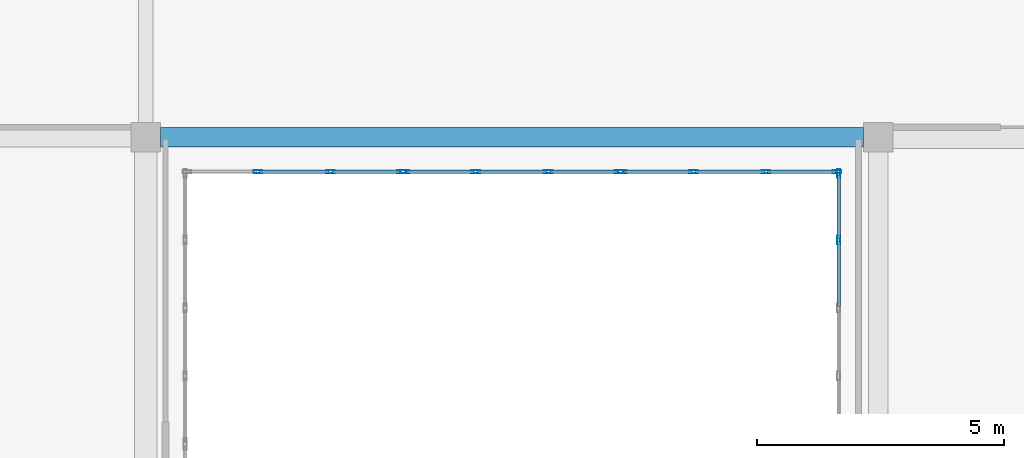
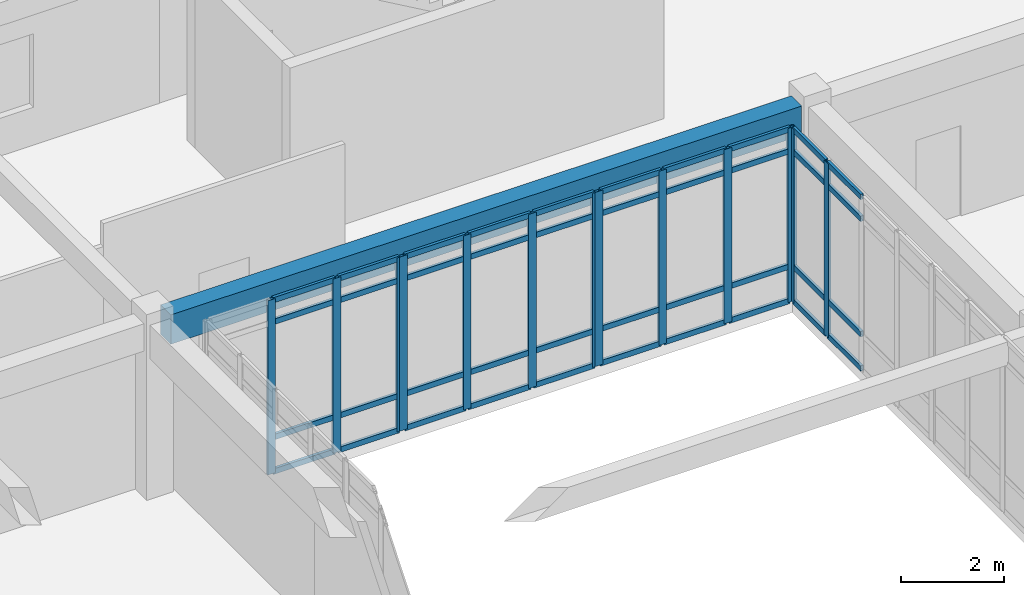
# One storey, part 96 of 142: 53 members, 1 beam, 4 elements without a shape of their own.
"""IFC4 building model written with IfcOpenShell, lengths in metres."""

from ifc_helpers import new_model, si_unit, direction, frame, origin, origin_2d, place, context, subcontext, project, spatial, rectangle, hollow_rectangle, extrude, material, layer, layer_set, material_profile, profile_set, type_object, element, aggregate, save


model = new_model("IFC4")

# Units and contexts
model_context = context("Model", 3, precision=1e-05, world=origin(), true_north=direction((0.0, 1.0)))
body_context = subcontext(model_context, "Body", "Model", "MODEL_VIEW")
ifc_project = project(units=[si_unit("LENGTHUNIT", "METRE"), si_unit("AREAUNIT", "SQUARE_METRE"), si_unit("VOLUMEUNIT", "CUBIC_METRE"), si_unit("PLANEANGLEUNIT", "RADIAN"), si_unit("MASSUNIT", "GRAM", prefix="KILO")], contexts=[model_context])

# Site, building, storey
site_placement = place(None, origin())
site = spatial("IfcSite", under=ifc_project, at=site_placement, CompositionType="ELEMENT")
building_placement = place(site_placement, origin())
building = spatial("IfcBuilding", under=site, at=building_placement, Name="Valcora Specialist Clinic", CompositionType="ELEMENT")
storey_placement = place(building_placement, frame((0.0, 0.0, 5.10009765625)))
storey = spatial("IfcBuildingStorey", under=building, at=storey_placement, Name="L01", CompositionType="ELEMENT", Elevation=5.10009765625)

# Beam
ifc_material_1 = material(Name="Concrete C40/50", Category="concrete")
ifc_material_profile_1 = material_profile(ifc_material_1, rectangle(XDim=0.39990234375, YDim=0.699951171875, at=origin_2d()), Name="RC-BM-400X700")
ifc_profile_set_1 = profile_set([ifc_material_profile_1], Name="Concrete C40/50")
beam_type = type_object("IfcBeamType", Name="TY-BM-RC400X700", PredefinedType="BEAM", material=ifc_profile_set_1)
beam_placement = place(storey_placement, frame((111.5, 99.199951171875, 3.794921875), z_axis=(1.0, 0.0, 0.0), x_axis=(0.0, 1.0, 0.0)))
element("IfcBeam", 1, at=beam_placement, inside=storey, type_object=beam_type, Name="Beam BM-L01-0646", PredefinedType="BEAM", context=body_context, shape_type="SweptSolid", body=[
    extrude(rectangle(XDim=0.39990234375, YDim=0.699951171875, at=origin_2d()), origin(), (0.0, 0.0, 1.0), 14.199951171875),
])

# Curtain wall, members
ifc_material_2 = material(Name="Anodized Bronze Aluminium 6063-T6", Category="aluminium")
ifc_layer = layer(ifc_material_2, 0.175048828125)
ifc_layer_set = layer_set([ifc_layer], Name="Anodized Bronze Aluminium 6063-T6")
curtain_wall_type = type_object("IfcCurtainWallType", Name="TY-CW-CRT15", PredefinedType="NOTDEFINED", material=ifc_layer_set)
curtain_wall_1_placement = place(storey_placement, origin())
curtain_wall_1 = element("IfcCurtainWall", 2, at=curtain_wall_1_placement, inside=storey, type_object=curtain_wall_type, Name="Curtain wall CW-L01-078", PredefinedType="NOTDEFINED")
ifc_material_profile_2 = material_profile(ifc_material_2, hollow_rectangle(XDim=0.06494140625, YDim=0.175048828125, WallThickness=0.00390625, at=origin_2d()), Name="AL-MUL-65X175")
ifc_profile_set_2 = profile_set([ifc_material_profile_2], Name="Anodized Bronze Aluminium 6063-T6")
member_type_1 = type_object("IfcMemberType", Name="TY-CWM-65X175", PredefinedType="MULLION", material=ifc_profile_set_2)
member_1_placement = place(storey_placement, frame((125.199951171875, 97.125, 0.0), z_axis=(0.0, 0.0, 1.0), x_axis=(-1.0, 0.0, 0.0)))
member_1 = element("IfcMember", 3, at=member_1_placement, type_object=member_type_1, Name="CW-CRT-15 mullion 4", PredefinedType="MULLION", context=body_context, shape_type="SweptSolid", body=[
    extrude(hollow_rectangle(XDim=0.06494140625, YDim=0.175048828125, WallThickness=0.00390625, at=origin_2d()), origin(), (0.0, 0.0, 1.0), 4.14501953125),
])
member_2_placement = place(storey_placement, frame((125.199951171875, 98.467529296875, 0.0), z_axis=(0.0, 0.0, 1.0), x_axis=(-1.0, 0.0, 0.0)))
member_2 = element("IfcMember", 4, at=member_2_placement, type_object=member_type_1, Name="CW-CRT-15 mullion 5", PredefinedType="MULLION", context=body_context, shape_type="SweptSolid", body=[
    extrude(hollow_rectangle(XDim=0.06494140625, YDim=0.175048828125, WallThickness=0.00390625, at=origin_2d()), origin(), (0.0, 0.0, 1.0), 4.14501953125),
])

curtain_wall_2_placement = place(storey_placement, origin())
curtain_wall_2 = element("IfcCurtainWall", 5, at=curtain_wall_2_placement, inside=storey, type_object=curtain_wall_type, Name="Curtain wall CW-L01-079", PredefinedType="NOTDEFINED")
member_3_placement = place(storey_placement, frame((125.16748046875, 98.5, 0.0), z_axis=(0.0, 0.0, 1.0), x_axis=(0.0, -1.0, 0.0)))
member_3 = element("IfcMember", 6, at=member_3_placement, type_object=member_type_1, Name="CW-CRT-15 mullion 1", PredefinedType="MULLION", context=body_context, shape_type="SweptSolid", body=[
    extrude(hollow_rectangle(XDim=0.06494140625, YDim=0.175048828125, WallThickness=0.00390625, at=origin_2d()), origin(), (0.0, 0.0, 1.0), 4.14501953125),
])
member_4_placement = place(storey_placement, frame((123.7333984375, 98.5, 0.0), z_axis=(0.0, 0.0, 1.0), x_axis=(0.0, -1.0, 0.0)))
member_4 = element("IfcMember", 7, at=member_4_placement, type_object=member_type_1, Name="CW-CRT-15 mullion 2", PredefinedType="MULLION", context=body_context, shape_type="SweptSolid", body=[
    extrude(hollow_rectangle(XDim=0.06494140625, YDim=0.175048828125, WallThickness=0.00390625, at=origin_2d()), origin(), (0.0, 0.0, 1.0), 4.14501953125),
])
member_5_placement = place(storey_placement, frame((122.2666015625, 98.5, 0.0), z_axis=(0.0, 0.0, 1.0), x_axis=(0.0, -1.0, 0.0)))
member_5 = element("IfcMember", 8, at=member_5_placement, type_object=member_type_1, Name="CW-CRT-15 mullion 3", PredefinedType="MULLION", context=body_context, shape_type="SweptSolid", body=[
    extrude(hollow_rectangle(XDim=0.06494140625, YDim=0.175048828125, WallThickness=0.00390625, at=origin_2d()), origin(), (0.0, 0.0, 1.0), 4.14501953125),
])
member_6_placement = place(storey_placement, frame((120.83251953125, 98.5, 0.0), z_axis=(0.0, 0.0, 1.0), x_axis=(0.0, -1.0, 0.0)))
member_6 = element("IfcMember", 9, at=member_6_placement, type_object=member_type_1, Name="CW-CRT-15 mullion 4", PredefinedType="MULLION", context=body_context, shape_type="SweptSolid", body=[
    extrude(hollow_rectangle(XDim=0.06494140625, YDim=0.175048828125, WallThickness=0.00390625, at=origin_2d()), origin(), (0.0, 0.0, 1.0), 4.14501953125),
])

curtain_wall_3_placement = place(storey_placement, origin())
curtain_wall_3 = element("IfcCurtainWall", 10, at=curtain_wall_3_placement, inside=storey, type_object=curtain_wall_type, Name="Curtain wall CW-L01-080", PredefinedType="NOTDEFINED")
member_7_placement = place(storey_placement, frame((120.767578125, 98.5, 0.0), z_axis=(0.0, 0.0, 1.0), x_axis=(0.0, -1.0, 0.0)))
member_7 = element("IfcMember", 11, at=member_7_placement, type_object=member_type_1, Name="CW-CRT-15 mullion 1", PredefinedType="MULLION", context=body_context, shape_type="SweptSolid", body=[
    extrude(hollow_rectangle(XDim=0.06494140625, YDim=0.175048828125, WallThickness=0.00390625, at=origin_2d()), origin(), (0.0, 0.0, 1.0), 4.14501953125),
])
member_8_placement = place(storey_placement, frame((119.333251953125, 98.5, 0.0), z_axis=(0.0, 0.0, 1.0), x_axis=(0.0, -1.0, 0.0)))
member_8 = element("IfcMember", 12, at=member_8_placement, type_object=member_type_1, Name="CW-CRT-15 mullion 2", PredefinedType="MULLION", context=body_context, shape_type="SweptSolid", body=[
    extrude(hollow_rectangle(XDim=0.06494140625, YDim=0.175048828125, WallThickness=0.00390625, at=origin_2d()), origin(), (0.0, 0.0, 1.0), 4.14501953125),
])
member_9_placement = place(storey_placement, frame((117.86669921875, 98.5, 0.0), z_axis=(0.0, 0.0, 1.0), x_axis=(0.0, -1.0, 0.0)))
member_9 = element("IfcMember", 13, at=member_9_placement, type_object=member_type_1, Name="CW-CRT-15 mullion 3", PredefinedType="MULLION", context=body_context, shape_type="SweptSolid", body=[
    extrude(hollow_rectangle(XDim=0.06494140625, YDim=0.175048828125, WallThickness=0.00390625, at=origin_2d()), origin(), (0.0, 0.0, 1.0), 4.14501953125),
])
member_10_placement = place(storey_placement, frame((116.4326171875, 98.5, 0.0), z_axis=(0.0, 0.0, 1.0), x_axis=(0.0, -1.0, 0.0)))
member_10 = element("IfcMember", 14, at=member_10_placement, type_object=member_type_1, Name="CW-CRT-15 mullion 4", PredefinedType="MULLION", context=body_context, shape_type="SweptSolid", body=[
    extrude(hollow_rectangle(XDim=0.06494140625, YDim=0.175048828125, WallThickness=0.00390625, at=origin_2d()), origin(), (0.0, 0.0, 1.0), 4.14501953125),
])

curtain_wall_4_placement = place(storey_placement, origin())
curtain_wall_4 = element("IfcCurtainWall", 15, at=curtain_wall_4_placement, inside=storey, type_object=curtain_wall_type, Name="Curtain wall CW-L01-081", PredefinedType="NOTDEFINED")
member_11_placement = place(storey_placement, frame((116.367431640625, 98.5, 0.0), z_axis=(0.0, 0.0, 1.0), x_axis=(0.0, -1.0, 0.0)))
member_11 = element("IfcMember", 16, at=member_11_placement, type_object=member_type_1, Name="CW-CRT-15 mullion 1", PredefinedType="MULLION", context=body_context, shape_type="SweptSolid", body=[
    extrude(hollow_rectangle(XDim=0.06494140625, YDim=0.175048828125, WallThickness=0.00390625, at=origin_2d()), origin(), (0.0, 0.0, 1.0), 4.14501953125),
])
member_12_placement = place(storey_placement, frame((114.933349609375, 98.5, 0.0), z_axis=(0.0, 0.0, 1.0), x_axis=(0.0, -1.0, 0.0)))
member_12 = element("IfcMember", 17, at=member_12_placement, type_object=member_type_1, Name="CW-CRT-15 mullion 2", PredefinedType="MULLION", context=body_context, shape_type="SweptSolid", body=[
    extrude(hollow_rectangle(XDim=0.06494140625, YDim=0.175048828125, WallThickness=0.00390625, at=origin_2d()), origin(), (0.0, 0.0, 1.0), 4.14501953125),
])
member_13_placement = place(storey_placement, frame((113.466552734375, 98.5, 0.0), z_axis=(0.0, 0.0, 1.0), x_axis=(0.0, -1.0, 0.0)))
member_13 = element("IfcMember", 18, at=member_13_placement, type_object=member_type_1, Name="CW-CRT-15 mullion 3", PredefinedType="MULLION", context=body_context, shape_type="SweptSolid", body=[
    extrude(hollow_rectangle(XDim=0.06494140625, YDim=0.175048828125, WallThickness=0.00390625, at=origin_2d()), origin(), (0.0, 0.0, 1.0), 4.14501953125),
])

# Member
ifc_material_profile_3 = material_profile(ifc_material_2, hollow_rectangle(XDim=0.06494140625, YDim=0.1298828125, WallThickness=0.00390625, at=origin_2d()), Name="AL-TRN-65X130")
ifc_profile_set_3 = profile_set([ifc_material_profile_3], Name="Anodized Bronze Aluminium 6063-T6")
member_type_2 = type_object("IfcMemberType", Name="TY-CWT-65X130", PredefinedType="USERDEFINED", material=ifc_profile_set_3)
member_14_placement = place(storey_placement, frame((125.199951171875, 95.782470703125, 0.032470703125), z_axis=(0.0, 1.0, 0.0), x_axis=(-1.0, 0.0, 0.0)))
member_14 = element("IfcMember", 19, at=member_14_placement, type_object=member_type_2, Name="CW-CRT-15 transom 3.1", ObjectType="TRANSOM", PredefinedType="USERDEFINED", context=body_context, shape_type="SweptSolid", body=[
    extrude(hollow_rectangle(XDim=0.06494140625, YDim=0.1298828125, WallThickness=0.00390625, at=origin_2d()), origin(), (0.0, 0.0, 1.0), 1.31005859375),
])

member_15_placement = place(storey_placement, frame((125.199951171875, 95.782470703125, 0.849853515625), z_axis=(0.0, 1.0, 0.0), x_axis=(-1.0, 0.0, 0.0)))
member_15 = element("IfcMember", 20, at=member_15_placement, type_object=member_type_2, Name="CW-CRT-15 transom 3.2", ObjectType="TRANSOM", PredefinedType="USERDEFINED", context=body_context, shape_type="SweptSolid", body=[
    extrude(hollow_rectangle(XDim=0.06494140625, YDim=0.1298828125, WallThickness=0.00390625, at=origin_2d()), origin(), (0.0, 0.0, 1.0), 1.31005859375),
])

member_16_placement = place(storey_placement, frame((125.199951171875, 95.782470703125, 3.594970703125), z_axis=(0.0, 1.0, 0.0), x_axis=(-1.0, 0.0, 0.0)))
member_16 = element("IfcMember", 21, at=member_16_placement, type_object=member_type_2, Name="CW-CRT-15 transom 3.3", ObjectType="TRANSOM", PredefinedType="USERDEFINED", context=body_context, shape_type="SweptSolid", body=[
    extrude(hollow_rectangle(XDim=0.06494140625, YDim=0.1298828125, WallThickness=0.00390625, at=origin_2d()), origin(), (0.0, 0.0, 1.0), 1.31005859375),
])

member_17_placement = place(storey_placement, frame((125.199951171875, 95.782470703125, 4.1123046875), z_axis=(0.0, 1.0, 0.0), x_axis=(-1.0, 0.0, 0.0)))
member_17 = element("IfcMember", 22, at=member_17_placement, type_object=member_type_2, Name="CW-CRT-15 transom 3.4", ObjectType="TRANSOM", PredefinedType="USERDEFINED", context=body_context, shape_type="SweptSolid", body=[
    extrude(hollow_rectangle(XDim=0.06494140625, YDim=0.1298828125, WallThickness=0.00390625, at=origin_2d()), origin(), (0.0, 0.0, 1.0), 1.31005859375),
])

member_18_placement = place(storey_placement, frame((125.199951171875, 97.157470703125, 0.032470703125), z_axis=(0.0, 1.0, 0.0), x_axis=(-1.0, 0.0, 0.0)))
member_18 = element("IfcMember", 23, at=member_18_placement, type_object=member_type_2, Name="CW-CRT-15 transom 4.1", ObjectType="TRANSOM", PredefinedType="USERDEFINED", context=body_context, shape_type="SweptSolid", body=[
    extrude(hollow_rectangle(XDim=0.06494140625, YDim=0.1298828125, WallThickness=0.00390625, at=origin_2d()), origin(), (0.0, 0.0, 1.0), 1.277587890625),
])

member_19_placement = place(storey_placement, frame((125.199951171875, 97.157470703125, 0.849853515625), z_axis=(0.0, 1.0, 0.0), x_axis=(-1.0, 0.0, 0.0)))
member_19 = element("IfcMember", 24, at=member_19_placement, type_object=member_type_2, Name="CW-CRT-15 transom 4.2", ObjectType="TRANSOM", PredefinedType="USERDEFINED", context=body_context, shape_type="SweptSolid", body=[
    extrude(hollow_rectangle(XDim=0.06494140625, YDim=0.1298828125, WallThickness=0.00390625, at=origin_2d()), origin(), (0.0, 0.0, 1.0), 1.277587890625),
])

member_20_placement = place(storey_placement, frame((125.199951171875, 97.157470703125, 3.594970703125), z_axis=(0.0, 1.0, 0.0), x_axis=(-1.0, 0.0, 0.0)))
member_20 = element("IfcMember", 25, at=member_20_placement, type_object=member_type_2, Name="CW-CRT-15 transom 4.3", ObjectType="TRANSOM", PredefinedType="USERDEFINED", context=body_context, shape_type="SweptSolid", body=[
    extrude(hollow_rectangle(XDim=0.06494140625, YDim=0.1298828125, WallThickness=0.00390625, at=origin_2d()), origin(), (0.0, 0.0, 1.0), 1.277587890625),
])

member_21_placement = place(storey_placement, frame((125.199951171875, 97.157470703125, 4.1123046875), z_axis=(0.0, 1.0, 0.0), x_axis=(-1.0, 0.0, 0.0)))
member_21 = element("IfcMember", 26, at=member_21_placement, type_object=member_type_2, Name="CW-CRT-15 transom 4.4", ObjectType="TRANSOM", PredefinedType="USERDEFINED", context=body_context, shape_type="SweptSolid", body=[
    extrude(hollow_rectangle(XDim=0.06494140625, YDim=0.1298828125, WallThickness=0.00390625, at=origin_2d()), origin(), (0.0, 0.0, 1.0), 1.277587890625),
])

aggregate(curtain_wall_1, [member_1, member_2, member_14, member_15, member_16, member_17, member_18, member_19, member_20, member_21])

member_22_placement = place(storey_placement, frame((125.135009765625, 98.5, 0.032470703125), z_axis=(-1.0, 0.0, 0.0), x_axis=(0.0, -1.0, 0.0)))
member_22 = element("IfcMember", 27, at=member_22_placement, type_object=member_type_2, Name="CW-CRT-15 transom 1.1", ObjectType="TRANSOM", PredefinedType="USERDEFINED", context=body_context, shape_type="SweptSolid", body=[
    extrude(hollow_rectangle(XDim=0.06494140625, YDim=0.1298828125, WallThickness=0.00390625, at=origin_2d()), origin(), (0.0, 0.0, 1.0), 1.369140625),
])

member_23_placement = place(storey_placement, frame((125.135009765625, 98.5, 0.849853515625), z_axis=(-1.0, 0.0, 0.0), x_axis=(0.0, -1.0, 0.0)))
member_23 = element("IfcMember", 28, at=member_23_placement, type_object=member_type_2, Name="CW-CRT-15 transom 1.2", ObjectType="TRANSOM", PredefinedType="USERDEFINED", context=body_context, shape_type="SweptSolid", body=[
    extrude(hollow_rectangle(XDim=0.06494140625, YDim=0.1298828125, WallThickness=0.00390625, at=origin_2d()), origin(), (0.0, 0.0, 1.0), 1.369140625),
])

member_24_placement = place(storey_placement, frame((125.135009765625, 98.5, 3.594970703125), z_axis=(-1.0, 0.0, 0.0), x_axis=(0.0, -1.0, 0.0)))
member_24 = element("IfcMember", 29, at=member_24_placement, type_object=member_type_2, Name="CW-CRT-15 transom 1.3", ObjectType="TRANSOM", PredefinedType="USERDEFINED", context=body_context, shape_type="SweptSolid", body=[
    extrude(hollow_rectangle(XDim=0.06494140625, YDim=0.1298828125, WallThickness=0.00390625, at=origin_2d()), origin(), (0.0, 0.0, 1.0), 1.369140625),
])

member_25_placement = place(storey_placement, frame((125.135009765625, 98.5, 4.1123046875), z_axis=(-1.0, 0.0, 0.0), x_axis=(0.0, -1.0, 0.0)))
member_25 = element("IfcMember", 30, at=member_25_placement, type_object=member_type_2, Name="CW-CRT-15 transom 1.4", ObjectType="TRANSOM", PredefinedType="USERDEFINED", context=body_context, shape_type="SweptSolid", body=[
    extrude(hollow_rectangle(XDim=0.06494140625, YDim=0.1298828125, WallThickness=0.00390625, at=origin_2d()), origin(), (0.0, 0.0, 1.0), 1.369140625),
])

member_26_placement = place(storey_placement, frame((123.700927734375, 98.5, 0.032470703125), z_axis=(-1.0, 0.0, 0.0), x_axis=(0.0, -1.0, 0.0)))
member_26 = element("IfcMember", 31, at=member_26_placement, type_object=member_type_2, Name="CW-CRT-15 transom 2.1", ObjectType="TRANSOM", PredefinedType="USERDEFINED", context=body_context, shape_type="SweptSolid", body=[
    extrude(hollow_rectangle(XDim=0.06494140625, YDim=0.1298828125, WallThickness=0.00390625, at=origin_2d()), origin(), (0.0, 0.0, 1.0), 1.40185546875),
])

member_27_placement = place(storey_placement, frame((123.700927734375, 98.5, 0.849853515625), z_axis=(-1.0, 0.0, 0.0), x_axis=(0.0, -1.0, 0.0)))
member_27 = element("IfcMember", 32, at=member_27_placement, type_object=member_type_2, Name="CW-CRT-15 transom 2.2", ObjectType="TRANSOM", PredefinedType="USERDEFINED", context=body_context, shape_type="SweptSolid", body=[
    extrude(hollow_rectangle(XDim=0.06494140625, YDim=0.1298828125, WallThickness=0.00390625, at=origin_2d()), origin(), (0.0, 0.0, 1.0), 1.40185546875),
])

member_28_placement = place(storey_placement, frame((123.700927734375, 98.5, 3.594970703125), z_axis=(-1.0, 0.0, 0.0), x_axis=(0.0, -1.0, 0.0)))
member_28 = element("IfcMember", 33, at=member_28_placement, type_object=member_type_2, Name="CW-CRT-15 transom 2.3", ObjectType="TRANSOM", PredefinedType="USERDEFINED", context=body_context, shape_type="SweptSolid", body=[
    extrude(hollow_rectangle(XDim=0.06494140625, YDim=0.1298828125, WallThickness=0.00390625, at=origin_2d()), origin(), (0.0, 0.0, 1.0), 1.40185546875),
])

member_29_placement = place(storey_placement, frame((123.700927734375, 98.5, 4.1123046875), z_axis=(-1.0, 0.0, 0.0), x_axis=(0.0, -1.0, 0.0)))
member_29 = element("IfcMember", 34, at=member_29_placement, type_object=member_type_2, Name="CW-CRT-15 transom 2.4", ObjectType="TRANSOM", PredefinedType="USERDEFINED", context=body_context, shape_type="SweptSolid", body=[
    extrude(hollow_rectangle(XDim=0.06494140625, YDim=0.1298828125, WallThickness=0.00390625, at=origin_2d()), origin(), (0.0, 0.0, 1.0), 1.40185546875),
])

member_30_placement = place(storey_placement, frame((122.234130859375, 98.5, 0.032470703125), z_axis=(-1.0, 0.0, 0.0), x_axis=(0.0, -1.0, 0.0)))
member_30 = element("IfcMember", 35, at=member_30_placement, type_object=member_type_2, Name="CW-CRT-15 transom 3.1", ObjectType="TRANSOM", PredefinedType="USERDEFINED", context=body_context, shape_type="SweptSolid", body=[
    extrude(hollow_rectangle(XDim=0.06494140625, YDim=0.1298828125, WallThickness=0.00390625, at=origin_2d()), origin(), (0.0, 0.0, 1.0), 1.369140625),
])

member_31_placement = place(storey_placement, frame((122.234130859375, 98.5, 0.849853515625), z_axis=(-1.0, 0.0, 0.0), x_axis=(0.0, -1.0, 0.0)))
member_31 = element("IfcMember", 36, at=member_31_placement, type_object=member_type_2, Name="CW-CRT-15 transom 3.2", ObjectType="TRANSOM", PredefinedType="USERDEFINED", context=body_context, shape_type="SweptSolid", body=[
    extrude(hollow_rectangle(XDim=0.06494140625, YDim=0.1298828125, WallThickness=0.00390625, at=origin_2d()), origin(), (0.0, 0.0, 1.0), 1.369140625),
])

member_32_placement = place(storey_placement, frame((122.234130859375, 98.5, 3.594970703125), z_axis=(-1.0, 0.0, 0.0), x_axis=(0.0, -1.0, 0.0)))
member_32 = element("IfcMember", 37, at=member_32_placement, type_object=member_type_2, Name="CW-CRT-15 transom 3.3", ObjectType="TRANSOM", PredefinedType="USERDEFINED", context=body_context, shape_type="SweptSolid", body=[
    extrude(hollow_rectangle(XDim=0.06494140625, YDim=0.1298828125, WallThickness=0.00390625, at=origin_2d()), origin(), (0.0, 0.0, 1.0), 1.369140625),
])

member_33_placement = place(storey_placement, frame((122.234130859375, 98.5, 4.1123046875), z_axis=(-1.0, 0.0, 0.0), x_axis=(0.0, -1.0, 0.0)))
member_33 = element("IfcMember", 38, at=member_33_placement, type_object=member_type_2, Name="CW-CRT-15 transom 3.4", ObjectType="TRANSOM", PredefinedType="USERDEFINED", context=body_context, shape_type="SweptSolid", body=[
    extrude(hollow_rectangle(XDim=0.06494140625, YDim=0.1298828125, WallThickness=0.00390625, at=origin_2d()), origin(), (0.0, 0.0, 1.0), 1.369140625),
])

aggregate(curtain_wall_2, [member_3, member_4, member_5, member_6, member_22, member_23, member_24, member_25, member_26, member_27, member_28, member_29, member_30, member_31, member_32, member_33])

member_34_placement = place(storey_placement, frame((120.735107421875, 98.5, 0.032470703125), z_axis=(-1.0, 0.0, 0.0), x_axis=(0.0, -1.0, 0.0)))
member_34 = element("IfcMember", 39, at=member_34_placement, type_object=member_type_2, Name="CW-CRT-15 transom 1.1", ObjectType="TRANSOM", PredefinedType="USERDEFINED", context=body_context, shape_type="SweptSolid", body=[
    extrude(hollow_rectangle(XDim=0.06494140625, YDim=0.1298828125, WallThickness=0.00390625, at=origin_2d()), origin(), (0.0, 0.0, 1.0), 1.369384765625),
])

member_35_placement = place(storey_placement, frame((120.735107421875, 98.5, 0.849853515625), z_axis=(-1.0, 0.0, 0.0), x_axis=(0.0, -1.0, 0.0)))
member_35 = element("IfcMember", 40, at=member_35_placement, type_object=member_type_2, Name="CW-CRT-15 transom 1.2", ObjectType="TRANSOM", PredefinedType="USERDEFINED", context=body_context, shape_type="SweptSolid", body=[
    extrude(hollow_rectangle(XDim=0.06494140625, YDim=0.1298828125, WallThickness=0.00390625, at=origin_2d()), origin(), (0.0, 0.0, 1.0), 1.369384765625),
])

member_36_placement = place(storey_placement, frame((120.735107421875, 98.5, 3.594970703125), z_axis=(-1.0, 0.0, 0.0), x_axis=(0.0, -1.0, 0.0)))
member_36 = element("IfcMember", 41, at=member_36_placement, type_object=member_type_2, Name="CW-CRT-15 transom 1.3", ObjectType="TRANSOM", PredefinedType="USERDEFINED", context=body_context, shape_type="SweptSolid", body=[
    extrude(hollow_rectangle(XDim=0.06494140625, YDim=0.1298828125, WallThickness=0.00390625, at=origin_2d()), origin(), (0.0, 0.0, 1.0), 1.369384765625),
])

member_37_placement = place(storey_placement, frame((120.735107421875, 98.5, 4.1123046875), z_axis=(-1.0, 0.0, 0.0), x_axis=(0.0, -1.0, 0.0)))
member_37 = element("IfcMember", 42, at=member_37_placement, type_object=member_type_2, Name="CW-CRT-15 transom 1.4", ObjectType="TRANSOM", PredefinedType="USERDEFINED", context=body_context, shape_type="SweptSolid", body=[
    extrude(hollow_rectangle(XDim=0.06494140625, YDim=0.1298828125, WallThickness=0.00390625, at=origin_2d()), origin(), (0.0, 0.0, 1.0), 1.369384765625),
])

member_38_placement = place(storey_placement, frame((119.30078125, 98.5, 0.032470703125), z_axis=(-1.0, 0.0, 0.0), x_axis=(0.0, -1.0, 0.0)))
member_38 = element("IfcMember", 43, at=member_38_placement, type_object=member_type_2, Name="CW-CRT-15 transom 2.1", ObjectType="TRANSOM", PredefinedType="USERDEFINED", context=body_context, shape_type="SweptSolid", body=[
    extrude(hollow_rectangle(XDim=0.06494140625, YDim=0.1298828125, WallThickness=0.00390625, at=origin_2d()), origin(), (0.0, 0.0, 1.0), 1.401611328125),
])

member_39_placement = place(storey_placement, frame((119.30078125, 98.5, 0.849853515625), z_axis=(-1.0, 0.0, 0.0), x_axis=(0.0, -1.0, 0.0)))
member_39 = element("IfcMember", 44, at=member_39_placement, type_object=member_type_2, Name="CW-CRT-15 transom 2.2", ObjectType="TRANSOM", PredefinedType="USERDEFINED", context=body_context, shape_type="SweptSolid", body=[
    extrude(hollow_rectangle(XDim=0.06494140625, YDim=0.1298828125, WallThickness=0.00390625, at=origin_2d()), origin(), (0.0, 0.0, 1.0), 1.401611328125),
])

member_40_placement = place(storey_placement, frame((119.30078125, 98.5, 3.594970703125), z_axis=(-1.0, 0.0, 0.0), x_axis=(0.0, -1.0, 0.0)))
member_40 = element("IfcMember", 45, at=member_40_placement, type_object=member_type_2, Name="CW-CRT-15 transom 2.3", ObjectType="TRANSOM", PredefinedType="USERDEFINED", context=body_context, shape_type="SweptSolid", body=[
    extrude(hollow_rectangle(XDim=0.06494140625, YDim=0.1298828125, WallThickness=0.00390625, at=origin_2d()), origin(), (0.0, 0.0, 1.0), 1.401611328125),
])

member_41_placement = place(storey_placement, frame((119.30078125, 98.5, 4.1123046875), z_axis=(-1.0, 0.0, 0.0), x_axis=(0.0, -1.0, 0.0)))
member_41 = element("IfcMember", 46, at=member_41_placement, type_object=member_type_2, Name="CW-CRT-15 transom 2.4", ObjectType="TRANSOM", PredefinedType="USERDEFINED", context=body_context, shape_type="SweptSolid", body=[
    extrude(hollow_rectangle(XDim=0.06494140625, YDim=0.1298828125, WallThickness=0.00390625, at=origin_2d()), origin(), (0.0, 0.0, 1.0), 1.401611328125),
])

member_42_placement = place(storey_placement, frame((117.834228515625, 98.5, 0.032470703125), z_axis=(-1.0, 0.0, 0.0), x_axis=(0.0, -1.0, 0.0)))
member_42 = element("IfcMember", 47, at=member_42_placement, type_object=member_type_2, Name="CW-CRT-15 transom 3.1", ObjectType="TRANSOM", PredefinedType="USERDEFINED", context=body_context, shape_type="SweptSolid", body=[
    extrude(hollow_rectangle(XDim=0.06494140625, YDim=0.1298828125, WallThickness=0.00390625, at=origin_2d()), origin(), (0.0, 0.0, 1.0), 1.369140625),
])

member_43_placement = place(storey_placement, frame((117.834228515625, 98.5, 0.849853515625), z_axis=(-1.0, 0.0, 0.0), x_axis=(0.0, -1.0, 0.0)))
member_43 = element("IfcMember", 48, at=member_43_placement, type_object=member_type_2, Name="CW-CRT-15 transom 3.2", ObjectType="TRANSOM", PredefinedType="USERDEFINED", context=body_context, shape_type="SweptSolid", body=[
    extrude(hollow_rectangle(XDim=0.06494140625, YDim=0.1298828125, WallThickness=0.00390625, at=origin_2d()), origin(), (0.0, 0.0, 1.0), 1.369140625),
])

member_44_placement = place(storey_placement, frame((117.834228515625, 98.5, 3.594970703125), z_axis=(-1.0, 0.0, 0.0), x_axis=(0.0, -1.0, 0.0)))
member_44 = element("IfcMember", 49, at=member_44_placement, type_object=member_type_2, Name="CW-CRT-15 transom 3.3", ObjectType="TRANSOM", PredefinedType="USERDEFINED", context=body_context, shape_type="SweptSolid", body=[
    extrude(hollow_rectangle(XDim=0.06494140625, YDim=0.1298828125, WallThickness=0.00390625, at=origin_2d()), origin(), (0.0, 0.0, 1.0), 1.369140625),
])

member_45_placement = place(storey_placement, frame((117.834228515625, 98.5, 4.1123046875), z_axis=(-1.0, 0.0, 0.0), x_axis=(0.0, -1.0, 0.0)))
member_45 = element("IfcMember", 50, at=member_45_placement, type_object=member_type_2, Name="CW-CRT-15 transom 3.4", ObjectType="TRANSOM", PredefinedType="USERDEFINED", context=body_context, shape_type="SweptSolid", body=[
    extrude(hollow_rectangle(XDim=0.06494140625, YDim=0.1298828125, WallThickness=0.00390625, at=origin_2d()), origin(), (0.0, 0.0, 1.0), 1.369140625),
])

aggregate(curtain_wall_3, [member_7, member_8, member_9, member_10, member_34, member_35, member_36, member_37, member_38, member_39, member_40, member_41, member_42, member_43, member_44, member_45])

member_46_placement = place(storey_placement, frame((116.3349609375, 98.5, 0.032470703125), z_axis=(-1.0, 0.0, 0.0), x_axis=(0.0, -1.0, 0.0)))
member_46 = element("IfcMember", 51, at=member_46_placement, type_object=member_type_2, Name="CW-CRT-15 transom 1.1", ObjectType="TRANSOM", PredefinedType="USERDEFINED", context=body_context, shape_type="SweptSolid", body=[
    extrude(hollow_rectangle(XDim=0.06494140625, YDim=0.1298828125, WallThickness=0.00390625, at=origin_2d()), origin(), (0.0, 0.0, 1.0), 1.369140625),
])

member_47_placement = place(storey_placement, frame((116.3349609375, 98.5, 0.849853515625), z_axis=(-1.0, 0.0, 0.0), x_axis=(0.0, -1.0, 0.0)))
member_47 = element("IfcMember", 52, at=member_47_placement, type_object=member_type_2, Name="CW-CRT-15 transom 1.2", ObjectType="TRANSOM", PredefinedType="USERDEFINED", context=body_context, shape_type="SweptSolid", body=[
    extrude(hollow_rectangle(XDim=0.06494140625, YDim=0.1298828125, WallThickness=0.00390625, at=origin_2d()), origin(), (0.0, 0.0, 1.0), 1.369140625),
])

member_48_placement = place(storey_placement, frame((116.3349609375, 98.5, 3.594970703125), z_axis=(-1.0, 0.0, 0.0), x_axis=(0.0, -1.0, 0.0)))
member_48 = element("IfcMember", 53, at=member_48_placement, type_object=member_type_2, Name="CW-CRT-15 transom 1.3", ObjectType="TRANSOM", PredefinedType="USERDEFINED", context=body_context, shape_type="SweptSolid", body=[
    extrude(hollow_rectangle(XDim=0.06494140625, YDim=0.1298828125, WallThickness=0.00390625, at=origin_2d()), origin(), (0.0, 0.0, 1.0), 1.369140625),
])

member_49_placement = place(storey_placement, frame((116.3349609375, 98.5, 4.1123046875), z_axis=(-1.0, 0.0, 0.0), x_axis=(0.0, -1.0, 0.0)))
member_49 = element("IfcMember", 54, at=member_49_placement, type_object=member_type_2, Name="CW-CRT-15 transom 1.4", ObjectType="TRANSOM", PredefinedType="USERDEFINED", context=body_context, shape_type="SweptSolid", body=[
    extrude(hollow_rectangle(XDim=0.06494140625, YDim=0.1298828125, WallThickness=0.00390625, at=origin_2d()), origin(), (0.0, 0.0, 1.0), 1.369140625),
])

member_50_placement = place(storey_placement, frame((114.90087890625, 98.5, 0.032470703125), z_axis=(-1.0, 0.0, 0.0), x_axis=(0.0, -1.0, 0.0)))
member_50 = element("IfcMember", 55, at=member_50_placement, type_object=member_type_2, Name="CW-CRT-15 transom 2.1", ObjectType="TRANSOM", PredefinedType="USERDEFINED", context=body_context, shape_type="SweptSolid", body=[
    extrude(hollow_rectangle(XDim=0.06494140625, YDim=0.1298828125, WallThickness=0.00390625, at=origin_2d()), origin(), (0.0, 0.0, 1.0), 1.401611328125),
])

member_51_placement = place(storey_placement, frame((114.90087890625, 98.5, 0.849853515625), z_axis=(-1.0, 0.0, 0.0), x_axis=(0.0, -1.0, 0.0)))
member_51 = element("IfcMember", 56, at=member_51_placement, type_object=member_type_2, Name="CW-CRT-15 transom 2.2", ObjectType="TRANSOM", PredefinedType="USERDEFINED", context=body_context, shape_type="SweptSolid", body=[
    extrude(hollow_rectangle(XDim=0.06494140625, YDim=0.1298828125, WallThickness=0.00390625, at=origin_2d()), origin(), (0.0, 0.0, 1.0), 1.401611328125),
])

member_52_placement = place(storey_placement, frame((114.90087890625, 98.5, 3.594970703125), z_axis=(-1.0, 0.0, 0.0), x_axis=(0.0, -1.0, 0.0)))
member_52 = element("IfcMember", 57, at=member_52_placement, type_object=member_type_2, Name="CW-CRT-15 transom 2.3", ObjectType="TRANSOM", PredefinedType="USERDEFINED", context=body_context, shape_type="SweptSolid", body=[
    extrude(hollow_rectangle(XDim=0.06494140625, YDim=0.1298828125, WallThickness=0.00390625, at=origin_2d()), origin(), (0.0, 0.0, 1.0), 1.401611328125),
])

member_53_placement = place(storey_placement, frame((114.90087890625, 98.5, 4.1123046875), z_axis=(-1.0, 0.0, 0.0), x_axis=(0.0, -1.0, 0.0)))
member_53 = element("IfcMember", 58, at=member_53_placement, type_object=member_type_2, Name="CW-CRT-15 transom 2.4", ObjectType="TRANSOM", PredefinedType="USERDEFINED", context=body_context, shape_type="SweptSolid", body=[
    extrude(hollow_rectangle(XDim=0.06494140625, YDim=0.1298828125, WallThickness=0.00390625, at=origin_2d()), origin(), (0.0, 0.0, 1.0), 1.401611328125),
])

aggregate(curtain_wall_4, [member_11, member_12, member_13, member_46, member_47, member_48, member_49, member_50, member_51, member_52, member_53])

save(model, "model.ifc")
